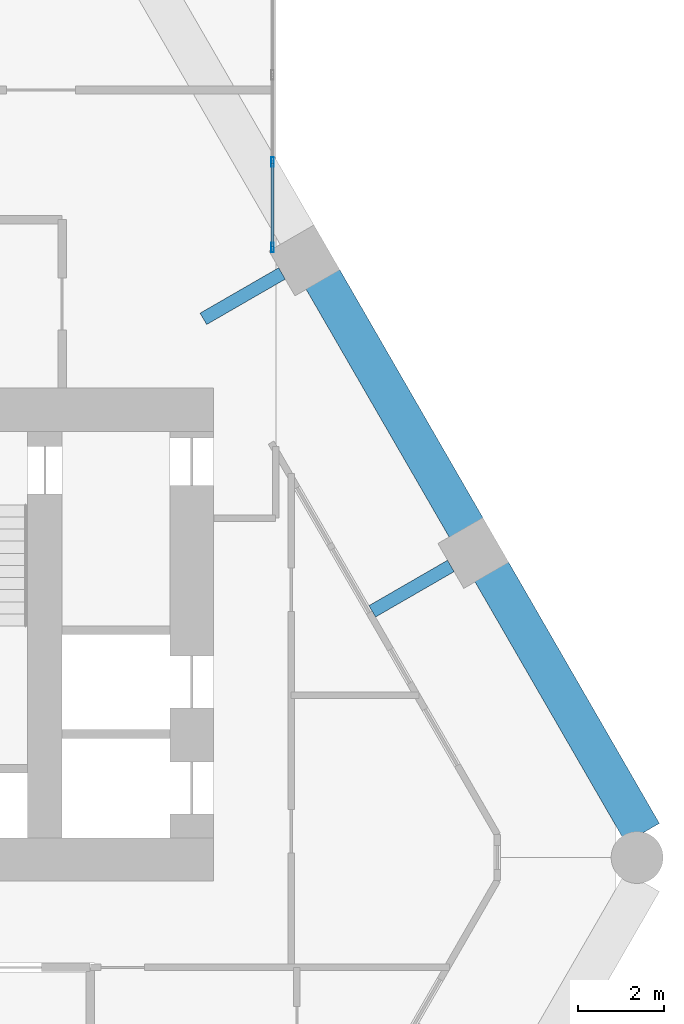
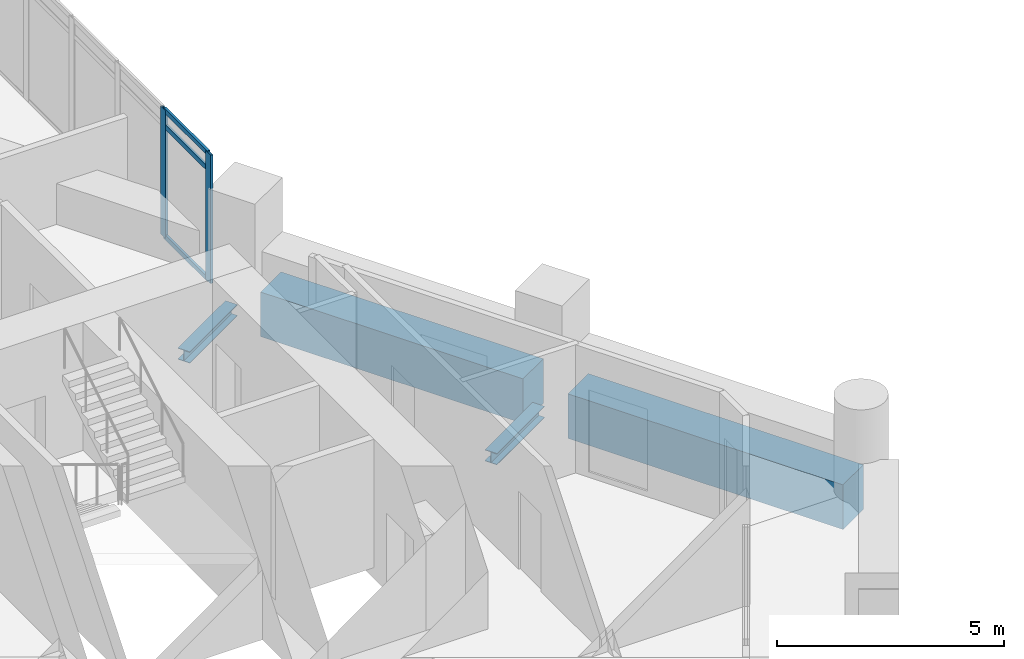
# One storey, part 18 of 28: 5 members, 4 beams, 1 element without a shape of its own.
"""IFC4 building model written with IfcOpenShell, lengths in metres."""

from ifc_helpers import new_model, si_unit, direction, frame, origin, origin_2d, place, context, subcontext, project, spatial, rectangle, hollow_rectangle, i_section, extrude, material, material_profile, profile_set, type_object, element, aggregate, save


model = new_model("IFC4")

# Units and contexts
model_context = context("Model", 3, precision=1e-05, world=origin(), true_north=direction((0.0, 1.0)))
body_context = subcontext(model_context, "Body", "Model", "MODEL_VIEW")
ifc_project = project(units=[si_unit("LENGTHUNIT", "METRE"), si_unit("AREAUNIT", "SQUARE_METRE"), si_unit("VOLUMEUNIT", "CUBIC_METRE"), si_unit("PLANEANGLEUNIT", "RADIAN"), si_unit("MASSUNIT", "GRAM", prefix="KILO")], contexts=[model_context])

# Site, building, storey
site_placement = place(None, origin())
site = spatial("IfcSite", under=ifc_project, at=site_placement, CompositionType="ELEMENT")
building_placement = place(site_placement, origin())
building = spatial("IfcBuilding", under=site, at=building_placement, Name="Ostrander Bayou Hotel Tower", CompositionType="ELEMENT")
storey_placement = place(building_placement, frame((0.0, 0.0, 142.25)))
storey = spatial("IfcBuildingStorey", under=building, at=storey_placement, Name="L35", CompositionType="ELEMENT", Elevation=142.25)

# Curtain wall, members
ifc_material_1 = material(Name="Aluminium and clear glass", Category="aluminium")
curtain_wall_type = type_object("IfcCurtainWallType", Name="CW-BAR glazed wall", PredefinedType="NOTDEFINED", material=ifc_material_1)
curtain_wall_placement = place(storey_placement, origin())
curtain_wall = element("IfcCurtainWall", 1, at=curtain_wall_placement, inside=storey, type_object=curtain_wall_type, Name="CW-BAR L35:SB3N:W", PredefinedType="NOTDEFINED")
ifc_material_2 = material(Name="Aluminium", Category="aluminium")
ifc_material_profile_1 = material_profile(ifc_material_2, hollow_rectangle(XDim=0.06005859375, YDim=0.219970703125, WallThickness=0.00390625, at=origin_2d()))
ifc_profile_set_1 = profile_set([ifc_material_profile_1], Name="Aluminium")
member_type_1 = type_object("IfcMemberType", Name="CW-BR mullion 60 x 220 mm", PredefinedType="MULLION", material=ifc_profile_set_1)
member_1_placement = place(storey_placement, frame((13.3671875, 12.951416015625, 0.0), z_axis=(0.0, 0.0, 1.0), x_axis=(-1.0, 0.0, 0.0)))
member_1 = element("IfcMember", 2, at=member_1_placement, type_object=member_type_1, Name="CW-BAR mullion 1", PredefinedType="MULLION", context=body_context, shape_type="SweptSolid", body=[
    extrude(hollow_rectangle(XDim=0.06005859375, YDim=0.219970703125, WallThickness=0.00390625, at=origin_2d()), origin(), (0.0, 0.0, 1.0), 3.449951171875),
])
member_2_placement = place(storey_placement, frame((13.3671875, 14.93603515625, 0.0), z_axis=(0.0, 0.0, 1.0), x_axis=(-1.0, 0.0, 0.0)))
member_2 = element("IfcMember", 3, at=member_2_placement, type_object=member_type_1, Name="CW-BAR mullion 2", PredefinedType="MULLION", context=body_context, shape_type="SweptSolid", body=[
    extrude(hollow_rectangle(XDim=0.06005859375, YDim=0.219970703125, WallThickness=0.00390625, at=origin_2d()), origin(), (0.0, 0.0, 1.0), 3.449951171875),
])
ifc_material_3 = material(Name="Aluminium", Category="aluminium")
ifc_material_profile_2 = material_profile(ifc_material_3, hollow_rectangle(XDim=0.06005859375, YDim=0.1298828125, WallThickness=0.00390625, at=origin_2d()))
ifc_profile_set_2 = profile_set([ifc_material_profile_2], Name="Aluminium")
member_type_2 = type_object("IfcMemberType", Name="CW-BR transom 60 x 130 mm", PredefinedType="USERDEFINED", material=ifc_profile_set_2)
member_3_placement = place(storey_placement, frame((13.3671875, 12.9814453125, 0.030029296875), z_axis=(0.0, 1.0, 0.0), x_axis=(-1.0, 0.0, 0.0)))
member_3 = element("IfcMember", 4, at=member_3_placement, type_object=member_type_2, Name="CW-BAR transom 1.1", ObjectType="TRANSOM", PredefinedType="USERDEFINED", context=body_context, shape_type="SweptSolid", body=[
    extrude(hollow_rectangle(XDim=0.06005859375, YDim=0.1298828125, WallThickness=0.00390625, at=origin_2d()), origin(), (0.0, 0.0, 1.0), 1.924560546875),
])
member_4_placement = place(storey_placement, frame((13.3671875, 12.9814453125, 3.0), z_axis=(0.0, 1.0, 0.0), x_axis=(-1.0, 0.0, 0.0)))
member_4 = element("IfcMember", 5, at=member_4_placement, type_object=member_type_2, Name="CW-BAR transom 1.2", ObjectType="TRANSOM", PredefinedType="USERDEFINED", context=body_context, shape_type="SweptSolid", body=[
    extrude(hollow_rectangle(XDim=0.06005859375, YDim=0.1298828125, WallThickness=0.00390625, at=origin_2d()), origin(), (0.0, 0.0, 1.0), 1.924560546875),
])
member_5_placement = place(storey_placement, frame((13.3671875, 12.9814453125, 3.419921875), z_axis=(0.0, 1.0, 0.0), x_axis=(-1.0, 0.0, 0.0)))
member_5 = element("IfcMember", 6, at=member_5_placement, type_object=member_type_2, Name="CW-BAR transom 1.3", ObjectType="TRANSOM", PredefinedType="USERDEFINED", context=body_context, shape_type="SweptSolid", body=[
    extrude(hollow_rectangle(XDim=0.06005859375, YDim=0.1298828125, WallThickness=0.00390625, at=origin_2d()), origin(), (0.0, 0.0, 1.0), 1.924560546875),
])
aggregate(curtain_wall, [member_1, member_2, member_3, member_4, member_5])

# Beams
ifc_material_4 = material(Name="Steel ASTM A992", Category="steel")
ifc_material_profile_3 = material_profile(ifc_material_4, i_section(OverallWidth=0.3046875, OverallDepth=0.307861328125, WebThickness=0.010009765625, FlangeThickness=0.015380859375, at=origin_2d()))
ifc_profile_set_3 = profile_set([ifc_material_profile_3], Name="Steel ASTM A992")
beam_type_1 = type_object("IfcBeamType", Name="LB1 loggia bracket W12x65", PredefinedType="BEAM", material=ifc_profile_set_3)
beam_1_placement = place(storey_placement, frame((17.492919921875, 5.58837890625, -0.453857421875), z_axis=(-0.866009402589, -0.500027713859, 0.0), x_axis=(0.500027713859, -0.866009402589, 0.0)))
element("IfcBeam", 7, at=beam_1_placement, inside=storey, type_object=beam_type_1, Name="LB1 L35 NE1", PredefinedType="BEAM", context=body_context, shape_type="SweptSolid", body=[
    extrude(i_section(OverallWidth=0.3046875, OverallDepth=0.307861328125, WebThickness=0.010009765625, FlangeThickness=0.015380859375, at=origin_2d()), origin(), (0.0, 0.0, 1.0), 2.10009765625),
])
beam_2_placement = place(storey_placement, frame((13.586181640625, 12.35498046875, -0.453857421875), z_axis=(-0.866059744384, -0.49994051562, 0.0), x_axis=(0.49994051562, -0.866059744384, 0.0)))
element("IfcBeam", 8, at=beam_2_placement, inside=storey, type_object=beam_type_1, Name="LB1 L35 NE2", PredefinedType="BEAM", context=body_context, shape_type="SweptSolid", body=[
    extrude(i_section(OverallWidth=0.3046875, OverallDepth=0.307861328125, WebThickness=0.010009765625, FlangeThickness=0.015380859375, at=origin_2d()), origin(), (0.0, 0.0, 1.0), 2.099853515625),
])
ifc_material_5 = material(Name="Concrete f'c 70 MPa", Category="concrete")
ifc_material_profile_4 = material_profile(ifc_material_5, rectangle(XDim=0.89990234375, YDim=1.199951171875, at=origin_2d()))
ifc_profile_set_4 = profile_set([ifc_material_profile_4], Name="Concrete f'c 70 MPa")
beam_type_2 = type_object("IfcBeamType", Name="SP2 spandrel beam 900 x 1200 mm f'c 70 MPa", PredefinedType="SPANDREL", material=ifc_profile_set_4)
beam_3_placement = place(storey_placement, frame((21.927734375, -0.593017578125, -0.60009765625), z_axis=(-0.499991127072, 0.866030526511, 0.0), x_axis=(-0.866030526511, -0.499991127072, 0.0)))
element("IfcBeam", 9, at=beam_3_placement, inside=storey, type_object=beam_type_2, Name="SP2 L35 NE-1", PredefinedType="SPANDREL", context=body_context, shape_type="SweptSolid", body=[
    extrude(rectangle(XDim=0.89990234375, YDim=1.199951171875, at=origin_2d()), origin(), (0.0, 0.0, 1.0), 7.000732421875),
])
beam_4_placement = place(storey_placement, frame((17.857421875, 6.45703125, -0.60009765625), z_axis=(-0.499983182885, 0.866035112932, 0.0), x_axis=(-0.866035112932, -0.499983182885, 0.0)))
element("IfcBeam", 10, at=beam_4_placement, inside=storey, type_object=beam_type_2, Name="SP2 L35 NE-2", PredefinedType="SPANDREL", context=body_context, shape_type="SweptSolid", body=[
    extrude(rectangle(XDim=0.89990234375, YDim=1.199951171875, at=origin_2d()), origin(), (0.0, 0.0, 1.0), 6.673583984375),
])

save(model, "model.ifc")
